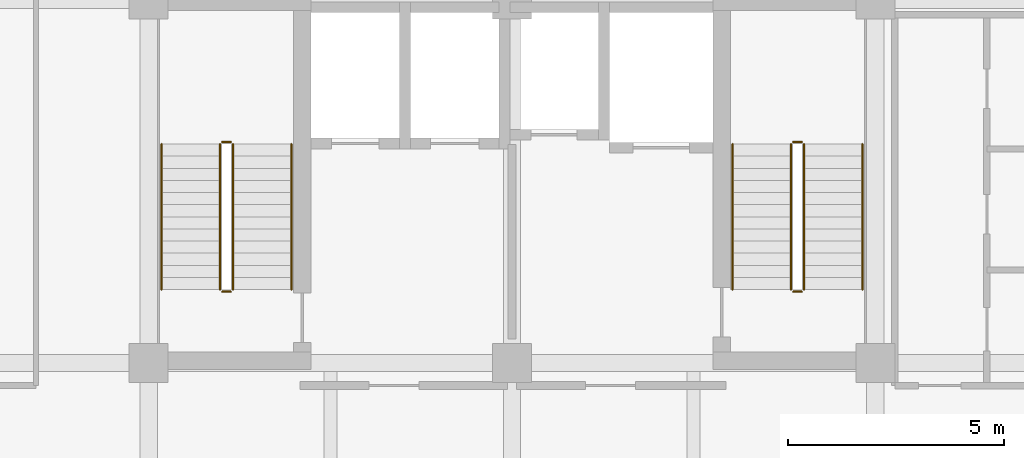
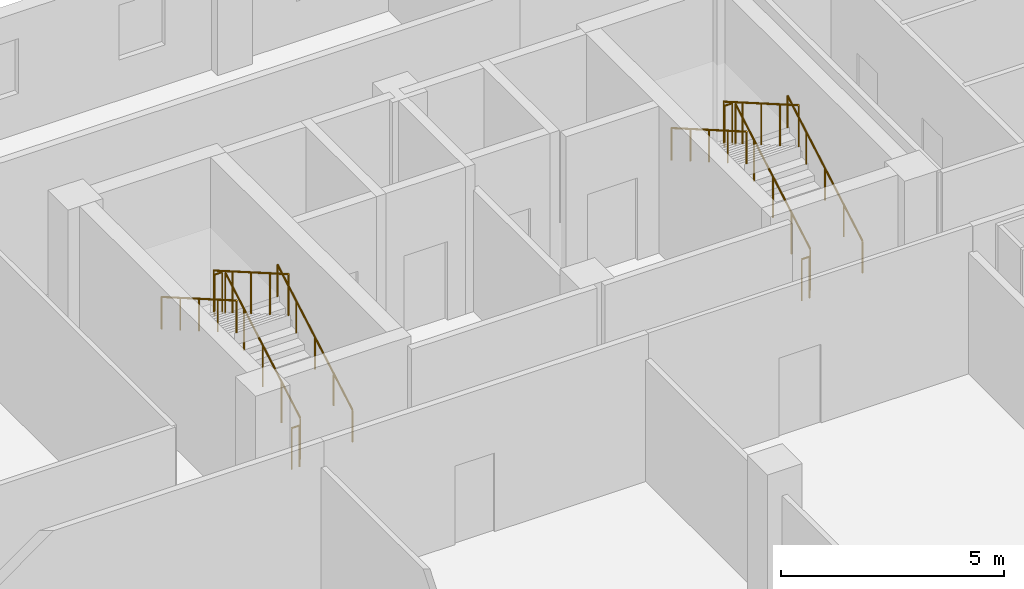
# One storey, part 40 of 40: 12 railings.
"""IFC4 building model written with IfcOpenShell, lengths in metres."""

import ifcopenshell
import ifcopenshell.guid

model = None  # the IFC model being written
_history = None  # IfcOwnerHistory: only IFC2X3 demands one
_inside = {}  # id of a spatial element -> (the spatial element, [elements in it])
_under = {}  # id of a project, library or spatial element -> (it, [spatial elements below it])
_declared = {}  # id of a project -> (the project, [libraries it declares])
_typed = {}  # id of a type object -> (the type object, [elements of that type])
_made_of = {}  # id of a material, layer set ... -> (it, [elements and type objects made of it])


def new_model(schema):
    """Start an empty IFC model of exactly this schema.

    Asked for "IFC4X3", IfcOpenShell would pick the latest addendum, in which some entities
    have other attributes; the version numbers below select the first issue.
    IFC2X3 requires an IfcOwnerHistory on every rooted entity: one is made here for all.
    """
    global model, _history
    if schema == "IFC4X3":
        model = ifcopenshell.file(schema_version=(4, 3, 0, 0))
    else:
        model = ifcopenshell.file(schema=schema)
    _inside.clear()
    _under.clear()
    _declared.clear()
    _typed.clear()
    _made_of.clear()
    _history = None
    if model.schema == "IFC2X3":
        org = make("IfcOrganization", Name="unknown")
        user = make(
            "IfcPersonAndOrganization",
            ThePerson=make("IfcPerson", FamilyName="unknown"),
            TheOrganization=org,
        )
        app = make(
            "IfcApplication",
            ApplicationDeveloper=org,
            Version="unknown",
            ApplicationFullName="unknown",
            ApplicationIdentifier="unknown",
        )
        _history = make(
            "IfcOwnerHistory",
            OwningUser=user,
            OwningApplication=app,
            ChangeAction="ADDED",
            CreationDate=0,
        )
    return model


def make(cls, **values):
    """One entity of the class cls with the attributes given. An attribute that is None is left unset."""
    return model.create_entity(
        cls, **{name: value for name, value in values.items() if value is not None}
    )


def rooted(cls, **values):
    """An entity with a GlobalId (a new one), such as an element, a storey or a relation."""
    return make(cls, GlobalId=ifcopenshell.guid.new(), OwnerHistory=_history, **values)


def si_unit(unit_type, name, prefix=None):
    """IfcSIUnit, for example si_unit("LENGTHUNIT", "METRE", prefix="MILLI")."""
    return make("IfcSIUnit", UnitType=unit_type, Prefix=prefix, Name=name)


def assignment(units):
    """IfcUnitAssignment: the units of a project."""
    return None if units is None else make("IfcUnitAssignment", Units=units)


def point(xyz):
    """IfcCartesianPoint."""
    return None if xyz is None else make("IfcCartesianPoint", Coordinates=xyz)


def direction(xyz):
    """IfcDirection."""
    return None if xyz is None else make("IfcDirection", DirectionRatios=xyz)


def frame(location, z_axis=None, x_axis=None):
    """IfcAxis2Placement3D, a coordinate frame: its origin and axes. An axis left out is left unset."""
    return make(
        "IfcAxis2Placement3D",
        Location=point(location),
        Axis=direction(z_axis),
        RefDirection=direction(x_axis),
    )


def frame_2d(location, x_axis=None):
    """IfcAxis2Placement2D, a coordinate frame in the plane: its origin and x axis."""
    return make(
        "IfcAxis2Placement2D", Location=point(location), RefDirection=direction(x_axis)
    )


def origin():
    """The frame at (0, 0, 0) with its axes left unset."""
    return frame((0.0, 0.0, 0.0))


def origin_2d():
    """The frame at (0, 0) in the plane with its x axis left unset."""
    return frame_2d((0.0, 0.0))


def place(relative_to, where):
    """IfcLocalPlacement: puts the frame where relative to a parent placement (None: the world)."""
    return make(
        "IfcLocalPlacement", PlacementRelTo=relative_to, RelativePlacement=where
    )


def context(
    kind, dimensions, precision=None, world=None, true_north=None, identifier=None
):
    """IfcGeometricRepresentationContext, for example the 3D "Model" context."""
    return make(
        "IfcGeometricRepresentationContext",
        ContextIdentifier=identifier,
        ContextType=kind,
        CoordinateSpaceDimension=dimensions,
        Precision=precision,
        WorldCoordinateSystem=world,
        TrueNorth=true_north,
    )


def subcontext(parent, identifier, kind, view, scale=None):
    """IfcGeometricRepresentationSubContext, for example "Body" below "Model"."""
    return make(
        "IfcGeometricRepresentationSubContext",
        ContextIdentifier=identifier,
        ContextType=kind,
        ParentContext=parent,
        TargetScale=scale,
        TargetView=view,
    )


def project(units=None, contexts=None):
    """IfcProject with its units and contexts."""
    return rooted(
        "IfcProject",
        Name="project",
        RepresentationContexts=contexts,
        UnitsInContext=assignment(units),
    )


def spatial(cls, under=None, at=None, **own):
    """A site, building, storey or space (cls), placed at a placement, below another one or the project."""
    s = rooted(cls, ObjectPlacement=at, **own)
    if under is not None:
        _under.setdefault(under.id(), (under, []))[1].append(s)
    return s


def profile(cls, at=None, kind="AREA", **sizes):
    """A parametric profile (cls). Its sizes go by their IFC names, for example OverallWidth=200.0."""
    return make(cls, ProfileType=kind, Position=at, **sizes)


def circle(**sizes):
    """IfcCircleProfileDef."""
    return profile("IfcCircleProfileDef", **sizes)


def extrude(swept, where, along, depth):
    """IfcExtrudedAreaSolid: the profile swept, set in the frame where, extruded along a direction by depth."""
    return make(
        "IfcExtrudedAreaSolid",
        SweptArea=swept,
        Position=where,
        ExtrudedDirection=direction(along),
        Depth=depth,
    )


def shape(context_of_items, identifier, shape_type, items):
    """IfcShapeRepresentation: the items that make up one representation, for example the "Body"."""
    return make(
        "IfcShapeRepresentation",
        ContextOfItems=context_of_items,
        RepresentationIdentifier=identifier,
        RepresentationType=shape_type,
        Items=items,
    )


def material(Name=None, Category=None):
    """IfcMaterial."""
    return make("IfcMaterial", Name=Name, Category=Category)


def made_of(thing, what):
    """Note that an element or type object is made of a material, layer set ...; save() writes the relation."""
    if what is not None:
        _made_of.setdefault(what.id(), (what, []))[1].append(thing)
    return thing


def type_object(cls, material=None, **own):
    """A type object (cls), such as IfcWallType, which elements share."""
    return made_of(rooted(cls, **own), material)


def element(
    cls,
    number,
    at=None,
    inside=None,
    cuts=None,
    type_object=None,
    material=None,
    context=None,
    identifier="Body",
    shape_type=None,
    held_by="IfcProductDefinitionShape",
    body=None,
    shapes=None,
    **own,
):
    """One element of the class cls, such as IfcWall. Its Tag is "e" and its number.

    at: its placement. inside: the storey or other place that contains it. cuts: it is an
    opening in that element (IfcRelVoidsElement). A single representation is given by context,
    identifier, shape_type and body (its items); several are given by shapes. held_by: the class
    of the entity that holds the representations. save() writes the other relations.
    """
    e = rooted(cls, Tag="e%d" % number, ObjectPlacement=at, **own)
    if body is not None:
        shapes = [shape(context, identifier, shape_type, body)]
    if shapes is not None:
        e.Representation = make(held_by, Representations=shapes)
    if inside is not None:
        _inside.setdefault(inside.id(), (inside, []))[1].append(e)
    if cuts is not None:
        rooted(
            "IfcRelVoidsElement", RelatingBuildingElement=cuts, RelatedOpeningElement=e
        )
    if type_object is not None:
        _typed.setdefault(type_object.id(), (type_object, []))[1].append(e)
    return made_of(e, material)


def aggregate(whole, parts):
    """IfcRelAggregates: a whole, such as a stair, and the parts it consists of."""
    return rooted("IfcRelAggregates", RelatingObject=whole, RelatedObjects=parts)


def save(model, path):
    """Write the relations noted so far, then the file.

    IfcRelAggregates (storeys below a building ...), IfcRelContainedInSpatialStructure (elements
    in a storey), IfcRelDefinesByType, IfcRelAssociatesMaterial and IfcRelDeclares: one each for
    every whole, place, type object, material and project.
    """
    for whole, parts in _under.values():
        aggregate(whole, parts)
    for where, things in _inside.values():
        rooted(
            "IfcRelContainedInSpatialStructure",
            RelatedElements=things,
            RelatingStructure=where,
        )
    for kind, things in _typed.values():
        rooted("IfcRelDefinesByType", RelatedObjects=things, RelatingType=kind)
    for what, things in _made_of.values():
        rooted("IfcRelAssociatesMaterial", RelatedObjects=things, RelatingMaterial=what)
    for by, libraries in _declared.values():
        rooted("IfcRelDeclares", RelatingContext=by, RelatedDefinitions=libraries)
    model.write(path)


model = new_model("IFC4")

# Units and contexts
model_context = context("Model", 3, precision=1e-05, world=origin(), true_north=direction((0.0, 1.0)))
body_context = subcontext(model_context, "Body", "Model", "MODEL_VIEW")
ifc_project = project(units=[si_unit("LENGTHUNIT", "METRE"), si_unit("AREAUNIT", "SQUARE_METRE"), si_unit("VOLUMEUNIT", "CUBIC_METRE"), si_unit("PLANEANGLEUNIT", "RADIAN"), si_unit("MASSUNIT", "GRAM", prefix="KILO")], contexts=[model_context])

# Site, building, storey
site_placement = place(None, origin())
site = spatial("IfcSite", under=ifc_project, at=site_placement, CompositionType="ELEMENT")
building_placement = place(site_placement, origin())
building = spatial("IfcBuilding", under=site, at=building_placement, Name="Brinegate Botanical Conservatory", CompositionType="ELEMENT")
storey_placement = place(building_placement, frame((0.0, 0.0, 19.199951171875)))
storey = spatial("IfcBuildingStorey", under=building, at=storey_placement, Name="L05", CompositionType="ELEMENT", Elevation=19.199951171875)

# Railings
ifc_material_1 = material(Name="Structural steel Q355B / S355 painted tubular guardrail", Category="steel")
railing_type_1 = type_object("IfcRailingType", Name="Rail_ST-GRD", PredefinedType="GUARDRAIL", material=ifc_material_1)
railing_1_placement = place(storey_placement, frame((140.75, 96.89990234375, 0.16162109375)))
element("IfcRailing", 1, at=railing_1_placement, inside=storey, type_object=railing_type_1, Name="L05 ST1 stair guard 1", PredefinedType="GUARDRAIL", context=body_context, shape_type="SweptSolid", body=[
    extrude(circle(Radius=0.02392578125, at=origin_2d()), frame((0.0, 0.0, 1.1259765625), z_axis=(0.0, 0.866190824863, 0.499713372768), x_axis=(-1.0, 0.0, 0.0)), (0.0, 0.0, 1.0), 3.879150390625),
    extrude(circle(Radius=0.02099609375, at=origin_2d()), origin(), (0.0, 0.0, 1.0), 1.101806640625),
    extrude(circle(Radius=0.02099609375, at=origin_2d()), frame((0.0, 0.840087890625, 0.484619140625)), (0.0, 0.0, 1.0), 1.101806640625),
    extrude(circle(Radius=0.02099609375, at=origin_2d()), frame((0.0, 1.68017578125, 0.96923828125)), (0.0, 0.0, 1.0), 1.101806640625),
    extrude(circle(Radius=0.02099609375, at=origin_2d()), frame((0.0, 2.52001953125, 1.453857421875)), (0.0, 0.0, 1.0), 1.101806640625),
    extrude(circle(Radius=0.02099609375, at=origin_2d()), frame((0.0, 3.360107421875, 1.9384765625)), (0.0, 0.0, 1.0), 1.101806640625),
])
railing_2_placement = place(storey_placement, frame((140.699951171875, 100.31005859375, 2.10009765625)))
element("IfcRailing", 2, at=railing_2_placement, inside=storey, type_object=railing_type_1, Name="L05 ST1 stair guard 2", PredefinedType="GUARDRAIL", context=body_context, shape_type="SweptSolid", body=[
    extrude(circle(Radius=0.02392578125, at=origin_2d()), frame((0.0, 0.0, 1.1259765625), z_axis=(-1.0, 0.0, 0.0), x_axis=(0.0, -1.0, 0.0)), (0.0, 0.0, 1.0), 0.199951171875),
    extrude(circle(Radius=0.02099609375, at=origin_2d()), origin(), (0.0, 0.0, 1.0), 1.101806640625),
    extrude(circle(Radius=0.02099609375, at=origin_2d()), frame((-0.199951171875, 0.0, 0.0)), (0.0, 0.0, 1.0), 1.101806640625),
])
railing_3_placement = place(storey_placement, frame((140.449951171875, 100.260009765625, 2.261474609375)))
element("IfcRailing", 3, at=railing_3_placement, inside=storey, type_object=railing_type_1, Name="L05 ST1 stair guard 3", PredefinedType="GUARDRAIL", context=body_context, shape_type="SweptSolid", body=[
    extrude(circle(Radius=0.02392578125, at=origin_2d()), frame((0.0, 0.0, 1.1259765625), z_axis=(0.0, -0.866190824863, 0.499713372768), x_axis=(1.0, 0.0, 0.0)), (0.0, 0.0, 1.0), 3.879150390625),
    extrude(circle(Radius=0.02099609375, at=origin_2d()), origin(), (0.0, 0.0, 1.0), 1.101806640625),
    extrude(circle(Radius=0.02099609375, at=origin_2d()), frame((0.0, -0.840087890625, 0.484619140625)), (0.0, 0.0, 1.0), 1.101806640625),
    extrude(circle(Radius=0.02099609375, at=origin_2d()), frame((0.0, -1.68017578125, 0.96923828125)), (0.0, 0.0, 1.0), 1.101806640625),
    extrude(circle(Radius=0.02099609375, at=origin_2d()), frame((0.0, -2.52001953125, 1.453857421875)), (0.0, 0.0, 1.0), 1.101806640625),
    extrude(circle(Radius=0.02099609375, at=origin_2d()), frame((0.0, -3.360107421875, 1.9384765625)), (0.0, 0.0, 1.0), 1.101806640625),
])
railing_4_placement = place(storey_placement, frame((140.699951171875, 96.85009765625, 0.0)))
element("IfcRailing", 4, at=railing_4_placement, inside=storey, type_object=railing_type_1, Name="L05 ST1 stair guard 4", PredefinedType="GUARDRAIL", context=body_context, shape_type="SweptSolid", body=[
    extrude(circle(Radius=0.02392578125, at=origin_2d()), frame((0.0, 0.0, 1.1259765625), z_axis=(-1.0, 0.0, 0.0), x_axis=(0.0, -1.0, 0.0)), (0.0, 0.0, 1.0), 0.199951171875),
    extrude(circle(Radius=0.02099609375, at=origin_2d()), origin(), (0.0, 0.0, 1.0), 1.101806640625),
    extrude(circle(Radius=0.02099609375, at=origin_2d()), frame((-0.199951171875, 0.0, 0.0)), (0.0, 0.0, 1.0), 1.101806640625),
])
railing_5_placement = place(storey_placement, frame((153.949951171875, 96.89990234375, 0.16162109375)))
element("IfcRailing", 5, at=railing_5_placement, inside=storey, type_object=railing_type_1, Name="L05 ST2 stair guard 1", PredefinedType="GUARDRAIL", context=body_context, shape_type="SweptSolid", body=[
    extrude(circle(Radius=0.02392578125, at=origin_2d()), frame((0.0, 0.0, 1.1259765625), z_axis=(0.0, 0.866190824863, 0.499713372768), x_axis=(-1.0, 0.0, 0.0)), (0.0, 0.0, 1.0), 3.879150390625),
    extrude(circle(Radius=0.02099609375, at=origin_2d()), origin(), (0.0, 0.0, 1.0), 1.101806640625),
    extrude(circle(Radius=0.02099609375, at=origin_2d()), frame((0.0, 0.840087890625, 0.484619140625)), (0.0, 0.0, 1.0), 1.101806640625),
    extrude(circle(Radius=0.02099609375, at=origin_2d()), frame((0.0, 1.68017578125, 0.96923828125)), (0.0, 0.0, 1.0), 1.101806640625),
    extrude(circle(Radius=0.02099609375, at=origin_2d()), frame((0.0, 2.52001953125, 1.453857421875)), (0.0, 0.0, 1.0), 1.101806640625),
    extrude(circle(Radius=0.02099609375, at=origin_2d()), frame((0.0, 3.360107421875, 1.9384765625)), (0.0, 0.0, 1.0), 1.101806640625),
])
railing_6_placement = place(storey_placement, frame((153.89990234375, 100.31005859375, 2.10009765625)))
element("IfcRailing", 6, at=railing_6_placement, inside=storey, type_object=railing_type_1, Name="L05 ST2 stair guard 2", PredefinedType="GUARDRAIL", context=body_context, shape_type="SweptSolid", body=[
    extrude(circle(Radius=0.02392578125, at=origin_2d()), frame((0.0, 0.0, 1.1259765625), z_axis=(-1.0, 0.0, 0.0), x_axis=(0.0, -1.0, 0.0)), (0.0, 0.0, 1.0), 0.199951171875),
    extrude(circle(Radius=0.02099609375, at=origin_2d()), origin(), (0.0, 0.0, 1.0), 1.101806640625),
    extrude(circle(Radius=0.02099609375, at=origin_2d()), frame((-0.199951171875, 0.0, 0.0)), (0.0, 0.0, 1.0), 1.101806640625),
])
railing_7_placement = place(storey_placement, frame((153.64990234375, 100.260009765625, 2.261474609375)))
element("IfcRailing", 7, at=railing_7_placement, inside=storey, type_object=railing_type_1, Name="L05 ST2 stair guard 3", PredefinedType="GUARDRAIL", context=body_context, shape_type="SweptSolid", body=[
    extrude(circle(Radius=0.02392578125, at=origin_2d()), frame((0.0, 0.0, 1.1259765625), z_axis=(0.0, -0.866190824863, 0.499713372768), x_axis=(1.0, 0.0, 0.0)), (0.0, 0.0, 1.0), 3.879150390625),
    extrude(circle(Radius=0.02099609375, at=origin_2d()), origin(), (0.0, 0.0, 1.0), 1.101806640625),
    extrude(circle(Radius=0.02099609375, at=origin_2d()), frame((0.0, -0.840087890625, 0.484619140625)), (0.0, 0.0, 1.0), 1.101806640625),
    extrude(circle(Radius=0.02099609375, at=origin_2d()), frame((0.0, -1.68017578125, 0.96923828125)), (0.0, 0.0, 1.0), 1.101806640625),
    extrude(circle(Radius=0.02099609375, at=origin_2d()), frame((0.0, -2.52001953125, 1.453857421875)), (0.0, 0.0, 1.0), 1.101806640625),
    extrude(circle(Radius=0.02099609375, at=origin_2d()), frame((0.0, -3.360107421875, 1.9384765625)), (0.0, 0.0, 1.0), 1.101806640625),
])
railing_8_placement = place(storey_placement, frame((153.89990234375, 96.85009765625, 0.0)))
element("IfcRailing", 8, at=railing_8_placement, inside=storey, type_object=railing_type_1, Name="L05 ST2 stair guard 4", PredefinedType="GUARDRAIL", context=body_context, shape_type="SweptSolid", body=[
    extrude(circle(Radius=0.02392578125, at=origin_2d()), frame((0.0, 0.0, 1.1259765625), z_axis=(-1.0, 0.0, 0.0), x_axis=(0.0, -1.0, 0.0)), (0.0, 0.0, 1.0), 0.199951171875),
    extrude(circle(Radius=0.02099609375, at=origin_2d()), origin(), (0.0, 0.0, 1.0), 1.101806640625),
    extrude(circle(Radius=0.02099609375, at=origin_2d()), frame((-0.199951171875, 0.0, 0.0)), (0.0, 0.0, 1.0), 1.101806640625),
])
ifc_material_2 = material(Name="Brushed stainless steel S355 handrail", Category="steel")
railing_type_2 = type_object("IfcRailingType", Name="Rail_ST-HND", PredefinedType="HANDRAIL", material=ifc_material_2)
railing_9_placement = place(storey_placement, frame((142.10009765625, 96.89990234375, 0.16162109375)))
element("IfcRailing", 9, at=railing_9_placement, inside=storey, type_object=railing_type_2, Name="L05 ST1 stair handrail 1", PredefinedType="HANDRAIL", context=body_context, shape_type="SweptSolid", body=[
    extrude(circle(Radius=0.02392578125, at=origin_2d()), frame((0.0, 0.0, 0.8759765625), z_axis=(0.0, 0.866190824863, 0.499713372768), x_axis=(-1.0, 0.0, 0.0)), (0.0, 0.0, 1.0), 3.879150390625),
    extrude(circle(Radius=0.02099609375, at=origin_2d()), origin(), (0.0, 0.0, 1.0), 0.851806640625),
    extrude(circle(Radius=0.02099609375, at=origin_2d()), frame((0.0, 0.840087890625, 0.484619140625)), (0.0, 0.0, 1.0), 0.851806640625),
    extrude(circle(Radius=0.02099609375, at=origin_2d()), frame((0.0, 1.68017578125, 0.96923828125)), (0.0, 0.0, 1.0), 0.851806640625),
    extrude(circle(Radius=0.02099609375, at=origin_2d()), frame((0.0, 2.52001953125, 1.453857421875)), (0.0, 0.0, 1.0), 0.851806640625),
    extrude(circle(Radius=0.02099609375, at=origin_2d()), frame((0.0, 3.360107421875, 1.9384765625)), (0.0, 0.0, 1.0), 0.851806640625),
])
railing_10_placement = place(storey_placement, frame((139.10009765625, 100.260009765625, 2.261474609375)))
element("IfcRailing", 10, at=railing_10_placement, inside=storey, type_object=railing_type_2, Name="L05 ST1 stair handrail 2", PredefinedType="HANDRAIL", context=body_context, shape_type="SweptSolid", body=[
    extrude(circle(Radius=0.02392578125, at=origin_2d()), frame((0.0, 0.0, 0.8759765625), z_axis=(0.0, -0.866190824863, 0.499713372768), x_axis=(1.0, 0.0, 0.0)), (0.0, 0.0, 1.0), 3.879150390625),
    extrude(circle(Radius=0.02099609375, at=origin_2d()), origin(), (0.0, 0.0, 1.0), 0.851806640625),
    extrude(circle(Radius=0.02099609375, at=origin_2d()), frame((0.0, -0.840087890625, 0.484619140625)), (0.0, 0.0, 1.0), 0.851806640625),
    extrude(circle(Radius=0.02099609375, at=origin_2d()), frame((0.0, -1.68017578125, 0.96923828125)), (0.0, 0.0, 1.0), 0.851806640625),
    extrude(circle(Radius=0.02099609375, at=origin_2d()), frame((0.0, -2.52001953125, 1.453857421875)), (0.0, 0.0, 1.0), 0.851806640625),
    extrude(circle(Radius=0.02099609375, at=origin_2d()), frame((0.0, -3.360107421875, 1.9384765625)), (0.0, 0.0, 1.0), 0.851806640625),
])
railing_11_placement = place(storey_placement, frame((155.300048828125, 96.89990234375, 0.16162109375)))
element("IfcRailing", 11, at=railing_11_placement, inside=storey, type_object=railing_type_2, Name="L05 ST2 stair handrail 1", PredefinedType="HANDRAIL", context=body_context, shape_type="SweptSolid", body=[
    extrude(circle(Radius=0.02392578125, at=origin_2d()), frame((0.0, 0.0, 0.8759765625), z_axis=(0.0, 0.866190824863, 0.499713372768), x_axis=(-1.0, 0.0, 0.0)), (0.0, 0.0, 1.0), 3.879150390625),
    extrude(circle(Radius=0.02099609375, at=origin_2d()), origin(), (0.0, 0.0, 1.0), 0.851806640625),
    extrude(circle(Radius=0.02099609375, at=origin_2d()), frame((0.0, 0.840087890625, 0.484619140625)), (0.0, 0.0, 1.0), 0.851806640625),
    extrude(circle(Radius=0.02099609375, at=origin_2d()), frame((0.0, 1.68017578125, 0.96923828125)), (0.0, 0.0, 1.0), 0.851806640625),
    extrude(circle(Radius=0.02099609375, at=origin_2d()), frame((0.0, 2.52001953125, 1.453857421875)), (0.0, 0.0, 1.0), 0.851806640625),
    extrude(circle(Radius=0.02099609375, at=origin_2d()), frame((0.0, 3.360107421875, 1.9384765625)), (0.0, 0.0, 1.0), 0.851806640625),
])
railing_12_placement = place(storey_placement, frame((152.300048828125, 100.260009765625, 2.261474609375)))
element("IfcRailing", 12, at=railing_12_placement, inside=storey, type_object=railing_type_2, Name="L05 ST2 stair handrail 2", PredefinedType="HANDRAIL", context=body_context, shape_type="SweptSolid", body=[
    extrude(circle(Radius=0.02392578125, at=origin_2d()), frame((0.0, 0.0, 0.8759765625), z_axis=(0.0, -0.866190824863, 0.499713372768), x_axis=(1.0, 0.0, 0.0)), (0.0, 0.0, 1.0), 3.879150390625),
    extrude(circle(Radius=0.02099609375, at=origin_2d()), origin(), (0.0, 0.0, 1.0), 0.851806640625),
    extrude(circle(Radius=0.02099609375, at=origin_2d()), frame((0.0, -0.840087890625, 0.484619140625)), (0.0, 0.0, 1.0), 0.851806640625),
    extrude(circle(Radius=0.02099609375, at=origin_2d()), frame((0.0, -1.68017578125, 0.96923828125)), (0.0, 0.0, 1.0), 0.851806640625),
    extrude(circle(Radius=0.02099609375, at=origin_2d()), frame((0.0, -2.52001953125, 1.453857421875)), (0.0, 0.0, 1.0), 0.851806640625),
    extrude(circle(Radius=0.02099609375, at=origin_2d()), frame((0.0, -3.360107421875, 1.9384765625)), (0.0, 0.0, 1.0), 0.851806640625),
])

save(model, "model.ifc")
